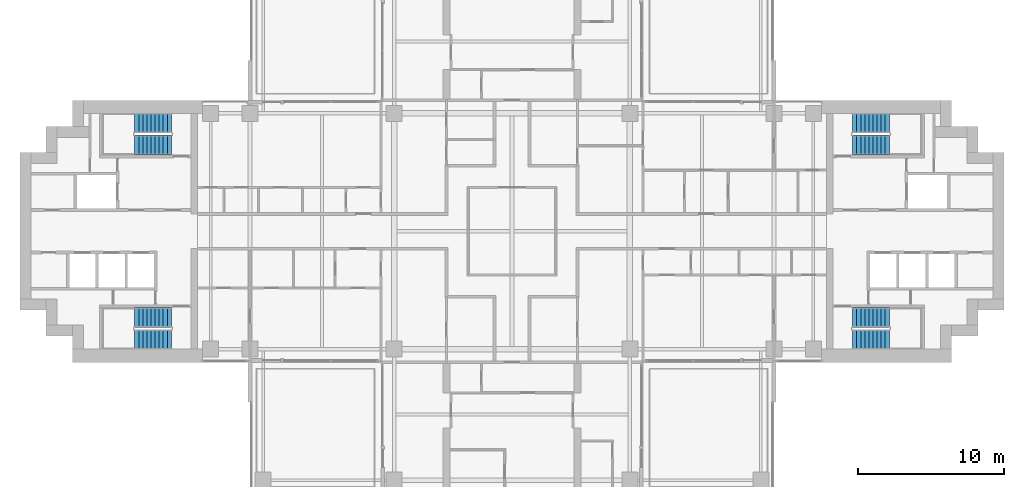
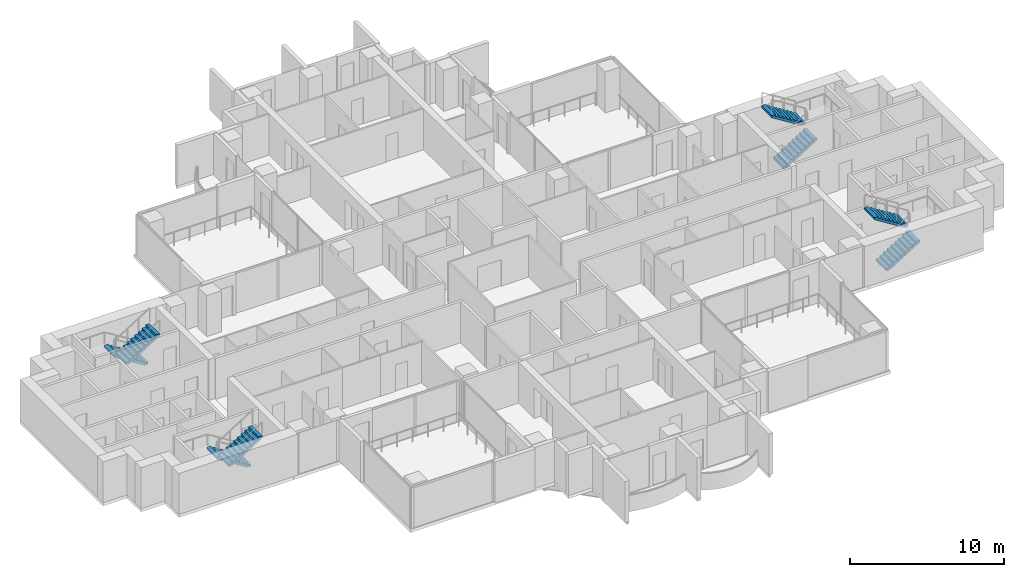
# One storey, part 15 of 18: 8 stair flights, 4 elements without a shape of their own.
"""IFC4 building model written with IfcOpenShell, lengths in metres."""

from ifc_helpers import new_model, si_unit, direction, frame, origin, place, context, subcontext, project, spatial, polyline, outline, extrude, material, type_object, element, aggregate, save


model = new_model("IFC4")

# Units and contexts
model_context = context("Model", 3, precision=1e-05, world=origin(), true_north=direction((0.0, 1.0)))
body_context = subcontext(model_context, "Body", "Model", "MODEL_VIEW")
ifc_project = project(units=[si_unit("LENGTHUNIT", "METRE"), si_unit("AREAUNIT", "SQUARE_METRE"), si_unit("VOLUMEUNIT", "CUBIC_METRE"), si_unit("PLANEANGLEUNIT", "RADIAN"), si_unit("MASSUNIT", "GRAM", prefix="KILO")], contexts=[model_context])

# Site, building, storey
site_placement = place(None, origin())
site = spatial("IfcSite", under=ifc_project, at=site_placement, CompositionType="ELEMENT")
building_placement = place(site_placement, origin())
building = spatial("IfcBuilding", under=site, at=building_placement, Name="Perihelion Cross Residences", CompositionType="ELEMENT")
storey_placement = place(building_placement, frame((0.0, 0.0, 130.39990234375)))
storey = spatial("IfcBuildingStorey", under=building, at=storey_placement, Name="L31", CompositionType="ELEMENT", Elevation=130.39990234375)

# Stair, stair flights
ifc_material_1 = material(Name="Concrete C40/50", Category="concrete")
stair_type = type_object("IfcStairType", Name="Exit stair, half-turn", PredefinedType="HALF_TURN_STAIR", material=ifc_material_1)
stair_1_placement = place(storey_placement, origin())
stair_1 = element("IfcStair", 1, at=stair_1_placement, inside=storey, type_object=stair_type, Name="L31 East core exit stair 1", PredefinedType="HALF_TURN_STAIR")
ifc_material_2 = material(Name="Concrete C40/50", Category="concrete")
stair_flight_type = type_object("IfcStairFlightType", Name="Exit stair flight", PredefinedType="STRAIGHT", material=ifc_material_2)
stair_flight_1_placement = place(storey_placement, frame((23.39990234375, 5.925048828125, 0.0), z_axis=(0.0, 0.0, 1.0), x_axis=(1.0, 0.0, 0.0)))
stair_flight_1 = element("IfcStairFlight", 2, at=stair_flight_1_placement, type_object=stair_flight_type, Name="ST-E1 flight 1", NumberOfRisers=10, NumberOfTreads=9, PredefinedType="STRAIGHT", RiserHeight=0.175, TreadLength=0.28, context=body_context, shape_type="SweptSolid", body=[
    extrude(outline(polyline([(0.0, 0.0), (0.0, 0.175048828125), (0.280029296875, 0.175048828125), (0.280029296875, 0.35009765625), (0.56005859375, 0.35009765625), (0.56005859375, 0.52490234375), (0.840087890625, 0.52490234375), (0.840087890625, 0.699951171875), (1.1201171875, 0.699951171875), (1.1201171875, 0.875), (1.39990234375, 0.875), (1.39990234375, 1.050048828125), (1.679931640625, 1.050048828125), (1.679931640625, 1.22509765625), (1.9599609375, 1.22509765625), (1.9599609375, 1.39990234375), (2.239990234375, 1.39990234375), (2.239990234375, 1.574951171875), (2.52001953125, 1.574951171875), (2.52001953125, 1.75), (2.52001953125, 1.398193359375), (0.28271484375, 0.0), (0.0, 0.0)])), frame((0.0, 0.675048828125, 0.0), z_axis=(0.0, -1.0, 0.0), x_axis=(1.0, 0.0, 0.0)), (0.0, 0.0, 1.0), 1.35009765625),
])
stair_flight_2_placement = place(storey_placement, frame((25.919921875, 7.425048828125, 1.75), z_axis=(0.0, 0.0, 1.0), x_axis=(-1.0, 0.0, 0.0)))
stair_flight_2 = element("IfcStairFlight", 3, at=stair_flight_2_placement, type_object=stair_flight_type, Name="ST-E1 flight 2", NumberOfRisers=10, NumberOfTreads=9, PredefinedType="STRAIGHT", RiserHeight=0.175, TreadLength=0.28, context=body_context, shape_type="SweptSolid", body=[
    extrude(outline(polyline([(0.0, 0.0), (0.0, 0.175048828125), (0.280029296875, 0.175048828125), (0.280029296875, 0.35009765625), (0.56005859375, 0.35009765625), (0.56005859375, 0.52490234375), (0.840087890625, 0.52490234375), (0.840087890625, 0.699951171875), (1.1201171875, 0.699951171875), (1.1201171875, 0.875), (1.39990234375, 0.875), (1.39990234375, 1.050048828125), (1.679931640625, 1.050048828125), (1.679931640625, 1.22509765625), (1.9599609375, 1.22509765625), (1.9599609375, 1.39990234375), (2.239990234375, 1.39990234375), (2.239990234375, 1.574951171875), (2.52001953125, 1.574951171875), (2.52001953125, 1.75), (2.52001953125, 1.398193359375), (0.28271484375, 0.0), (0.0, 0.0)])), frame((0.0, 0.675048828125, 0.0), z_axis=(0.0, -1.0, 0.0), x_axis=(1.0, 0.0, 0.0)), (0.0, 0.0, 1.0), 1.35009765625),
])
aggregate(stair_1, [stair_flight_1, stair_flight_2])

stair_2_placement = place(storey_placement, origin())
stair_2 = element("IfcStair", 4, at=stair_2_placement, inside=storey, type_object=stair_type, Name="L31 East core exit stair 2", PredefinedType="HALF_TURN_STAIR")
stair_flight_3_placement = place(storey_placement, frame((23.39990234375, -7.425048828125, 0.0), z_axis=(0.0, 0.0, 1.0), x_axis=(1.0, 0.0, 0.0)))
stair_flight_3 = element("IfcStairFlight", 5, at=stair_flight_3_placement, type_object=stair_flight_type, Name="ST-E2 flight 1", NumberOfRisers=10, NumberOfTreads=9, PredefinedType="STRAIGHT", RiserHeight=0.175, TreadLength=0.28, context=body_context, shape_type="SweptSolid", body=[
    extrude(outline(polyline([(0.0, 0.0), (0.0, 0.175048828125), (0.280029296875, 0.175048828125), (0.280029296875, 0.35009765625), (0.56005859375, 0.35009765625), (0.56005859375, 0.52490234375), (0.840087890625, 0.52490234375), (0.840087890625, 0.699951171875), (1.1201171875, 0.699951171875), (1.1201171875, 0.875), (1.39990234375, 0.875), (1.39990234375, 1.050048828125), (1.679931640625, 1.050048828125), (1.679931640625, 1.22509765625), (1.9599609375, 1.22509765625), (1.9599609375, 1.39990234375), (2.239990234375, 1.39990234375), (2.239990234375, 1.574951171875), (2.52001953125, 1.574951171875), (2.52001953125, 1.75), (2.52001953125, 1.398193359375), (0.28271484375, 0.0), (0.0, 0.0)])), frame((0.0, 0.675048828125, 0.0), z_axis=(0.0, -1.0, 0.0), x_axis=(1.0, 0.0, 0.0)), (0.0, 0.0, 1.0), 1.35009765625),
])
stair_flight_4_placement = place(storey_placement, frame((25.919921875, -5.925048828125, 1.75), z_axis=(0.0, 0.0, 1.0), x_axis=(-1.0, 0.0, 0.0)))
stair_flight_4 = element("IfcStairFlight", 6, at=stair_flight_4_placement, type_object=stair_flight_type, Name="ST-E2 flight 2", NumberOfRisers=10, NumberOfTreads=9, PredefinedType="STRAIGHT", RiserHeight=0.175, TreadLength=0.28, context=body_context, shape_type="SweptSolid", body=[
    extrude(outline(polyline([(0.0, 0.0), (0.0, 0.175048828125), (0.280029296875, 0.175048828125), (0.280029296875, 0.35009765625), (0.56005859375, 0.35009765625), (0.56005859375, 0.52490234375), (0.840087890625, 0.52490234375), (0.840087890625, 0.699951171875), (1.1201171875, 0.699951171875), (1.1201171875, 0.875), (1.39990234375, 0.875), (1.39990234375, 1.050048828125), (1.679931640625, 1.050048828125), (1.679931640625, 1.22509765625), (1.9599609375, 1.22509765625), (1.9599609375, 1.39990234375), (2.239990234375, 1.39990234375), (2.239990234375, 1.574951171875), (2.52001953125, 1.574951171875), (2.52001953125, 1.75), (2.52001953125, 1.398193359375), (0.28271484375, 0.0), (0.0, 0.0)])), frame((0.0, 0.675048828125, 0.0), z_axis=(0.0, -1.0, 0.0), x_axis=(1.0, 0.0, 0.0)), (0.0, 0.0, 1.0), 1.35009765625),
])
aggregate(stair_2, [stair_flight_3, stair_flight_4])

stair_3_placement = place(storey_placement, origin())
stair_3 = element("IfcStair", 7, at=stair_3_placement, inside=storey, type_object=stair_type, Name="L31 West core exit stair 1", PredefinedType="HALF_TURN_STAIR")
stair_flight_5_placement = place(storey_placement, frame((-23.39990234375, 7.425048828125, 0.0), z_axis=(0.0, 0.0, 1.0), x_axis=(-1.0, 0.0, 0.0)))
stair_flight_5 = element("IfcStairFlight", 8, at=stair_flight_5_placement, type_object=stair_flight_type, Name="ST-W1 flight 1", NumberOfRisers=10, NumberOfTreads=9, PredefinedType="STRAIGHT", RiserHeight=0.175, TreadLength=0.28, context=body_context, shape_type="SweptSolid", body=[
    extrude(outline(polyline([(0.0, 0.0), (0.0, 0.175048828125), (0.280029296875, 0.175048828125), (0.280029296875, 0.35009765625), (0.56005859375, 0.35009765625), (0.56005859375, 0.52490234375), (0.840087890625, 0.52490234375), (0.840087890625, 0.699951171875), (1.1201171875, 0.699951171875), (1.1201171875, 0.875), (1.39990234375, 0.875), (1.39990234375, 1.050048828125), (1.679931640625, 1.050048828125), (1.679931640625, 1.22509765625), (1.9599609375, 1.22509765625), (1.9599609375, 1.39990234375), (2.239990234375, 1.39990234375), (2.239990234375, 1.574951171875), (2.52001953125, 1.574951171875), (2.52001953125, 1.75), (2.52001953125, 1.398193359375), (0.28271484375, 0.0), (0.0, 0.0)])), frame((0.0, 0.675048828125, 0.0), z_axis=(0.0, -1.0, 0.0), x_axis=(1.0, 0.0, 0.0)), (0.0, 0.0, 1.0), 1.35009765625),
])
stair_flight_6_placement = place(storey_placement, frame((-25.919921875, 5.925048828125, 1.75), z_axis=(0.0, 0.0, 1.0), x_axis=(1.0, 0.0, 0.0)))
stair_flight_6 = element("IfcStairFlight", 9, at=stair_flight_6_placement, type_object=stair_flight_type, Name="ST-W1 flight 2", NumberOfRisers=10, NumberOfTreads=9, PredefinedType="STRAIGHT", RiserHeight=0.175, TreadLength=0.28, context=body_context, shape_type="SweptSolid", body=[
    extrude(outline(polyline([(0.0, 0.0), (0.0, 0.175048828125), (0.280029296875, 0.175048828125), (0.280029296875, 0.35009765625), (0.56005859375, 0.35009765625), (0.56005859375, 0.52490234375), (0.840087890625, 0.52490234375), (0.840087890625, 0.699951171875), (1.1201171875, 0.699951171875), (1.1201171875, 0.875), (1.39990234375, 0.875), (1.39990234375, 1.050048828125), (1.679931640625, 1.050048828125), (1.679931640625, 1.22509765625), (1.9599609375, 1.22509765625), (1.9599609375, 1.39990234375), (2.239990234375, 1.39990234375), (2.239990234375, 1.574951171875), (2.52001953125, 1.574951171875), (2.52001953125, 1.75), (2.52001953125, 1.398193359375), (0.28271484375, 0.0), (0.0, 0.0)])), frame((0.0, 0.675048828125, 0.0), z_axis=(0.0, -1.0, 0.0), x_axis=(1.0, 0.0, 0.0)), (0.0, 0.0, 1.0), 1.35009765625),
])
aggregate(stair_3, [stair_flight_5, stair_flight_6])

stair_4_placement = place(storey_placement, origin())
stair_4 = element("IfcStair", 10, at=stair_4_placement, inside=storey, type_object=stair_type, Name="L31 West core exit stair 2", PredefinedType="HALF_TURN_STAIR")
stair_flight_7_placement = place(storey_placement, frame((-23.39990234375, -5.925048828125, 0.0), z_axis=(0.0, 0.0, 1.0), x_axis=(-1.0, 0.0, 0.0)))
stair_flight_7 = element("IfcStairFlight", 11, at=stair_flight_7_placement, type_object=stair_flight_type, Name="ST-W2 flight 1", NumberOfRisers=10, NumberOfTreads=9, PredefinedType="STRAIGHT", RiserHeight=0.175, TreadLength=0.28, context=body_context, shape_type="SweptSolid", body=[
    extrude(outline(polyline([(0.0, 0.0), (0.0, 0.175048828125), (0.280029296875, 0.175048828125), (0.280029296875, 0.35009765625), (0.56005859375, 0.35009765625), (0.56005859375, 0.52490234375), (0.840087890625, 0.52490234375), (0.840087890625, 0.699951171875), (1.1201171875, 0.699951171875), (1.1201171875, 0.875), (1.39990234375, 0.875), (1.39990234375, 1.050048828125), (1.679931640625, 1.050048828125), (1.679931640625, 1.22509765625), (1.9599609375, 1.22509765625), (1.9599609375, 1.39990234375), (2.239990234375, 1.39990234375), (2.239990234375, 1.574951171875), (2.52001953125, 1.574951171875), (2.52001953125, 1.75), (2.52001953125, 1.398193359375), (0.28271484375, 0.0), (0.0, 0.0)])), frame((0.0, 0.675048828125, 0.0), z_axis=(0.0, -1.0, 0.0), x_axis=(1.0, 0.0, 0.0)), (0.0, 0.0, 1.0), 1.35009765625),
])
stair_flight_8_placement = place(storey_placement, frame((-25.919921875, -7.425048828125, 1.75), z_axis=(0.0, 0.0, 1.0), x_axis=(1.0, 0.0, 0.0)))
stair_flight_8 = element("IfcStairFlight", 12, at=stair_flight_8_placement, type_object=stair_flight_type, Name="ST-W2 flight 2", NumberOfRisers=10, NumberOfTreads=9, PredefinedType="STRAIGHT", RiserHeight=0.175, TreadLength=0.28, context=body_context, shape_type="SweptSolid", body=[
    extrude(outline(polyline([(0.0, 0.0), (0.0, 0.175048828125), (0.280029296875, 0.175048828125), (0.280029296875, 0.35009765625), (0.56005859375, 0.35009765625), (0.56005859375, 0.52490234375), (0.840087890625, 0.52490234375), (0.840087890625, 0.699951171875), (1.1201171875, 0.699951171875), (1.1201171875, 0.875), (1.39990234375, 0.875), (1.39990234375, 1.050048828125), (1.679931640625, 1.050048828125), (1.679931640625, 1.22509765625), (1.9599609375, 1.22509765625), (1.9599609375, 1.39990234375), (2.239990234375, 1.39990234375), (2.239990234375, 1.574951171875), (2.52001953125, 1.574951171875), (2.52001953125, 1.75), (2.52001953125, 1.398193359375), (0.28271484375, 0.0), (0.0, 0.0)])), frame((0.0, 0.675048828125, 0.0), z_axis=(0.0, -1.0, 0.0), x_axis=(1.0, 0.0, 0.0)), (0.0, 0.0, 1.0), 1.35009765625),
])
aggregate(stair_4, [stair_flight_7, stair_flight_8])

save(model, "model.ifc")
